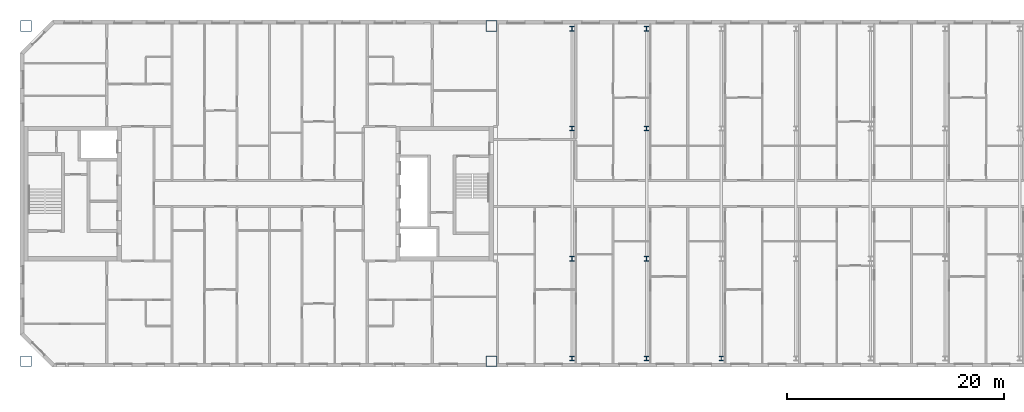
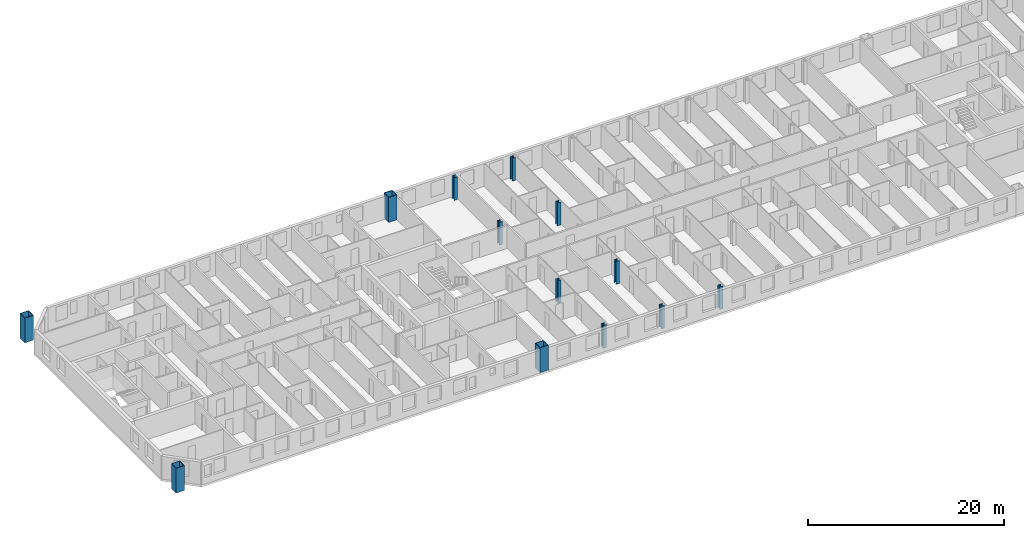
# One storey, part 1 of 19: 13 columns.
"""IFC4 building model written with IfcOpenShell, lengths in metres."""

from ifc_helpers import new_model, si_unit, direction, frame, origin, origin_2d, place, context, subcontext, project, spatial, hollow_rectangle, i_section, extrude, material, material_profile, profile_set, type_object, element, save


model = new_model("IFC4")

# Units and contexts
model_context = context("Model", 3, precision=1e-05, world=origin(), true_north=direction((0.0, 1.0)))
body_context = subcontext(model_context, "Body", "Model", "MODEL_VIEW")
ifc_project = project(units=[si_unit("LENGTHUNIT", "METRE"), si_unit("AREAUNIT", "SQUARE_METRE"), si_unit("VOLUMEUNIT", "CUBIC_METRE"), si_unit("PLANEANGLEUNIT", "RADIAN"), si_unit("MASSUNIT", "GRAM", prefix="KILO")], contexts=[model_context])

# Site, building, storey
site_placement = place(None, origin())
site = spatial("IfcSite", under=ifc_project, at=site_placement, CompositionType="ELEMENT")
building_placement = place(site_placement, origin())
building = spatial("IfcBuilding", under=site, at=building_placement, Name="Tuart Gate Housing", CompositionType="ELEMENT")
storey_placement = place(building_placement, frame((0.0, 0.0, 212.10009765625)))
storey = spatial("IfcBuildingStorey", under=building, at=storey_placement, Name="L60", CompositionType="ELEMENT", Elevation=212.10009765625)

# Columns
ifc_material_1 = material(Name="Steel Grade 350", Category="steel")
ifc_material_profile_1 = material_profile(ifc_material_1, i_section(OverallWidth=0.39990234375, OverallDepth=0.429931640625, WebThickness=0.0400390625, FlangeThickness=0.0400390625, at=origin_2d()), Name="400WC361")
ifc_profile_set_1 = profile_set([ifc_material_profile_1], Name="Steel Grade 350")
column_type_1 = type_object("IfcColumnType", Name="Link column 400 WC361", PredefinedType="COLUMN", material=ifc_profile_set_1)
for number, where, z_axis, x_axis, name in (
    (1, (82.875, 54.800048828125, 0.0), (0.0, 0.0, 1.0), (1.0, 0.0, 0.0), "Link column line 1 point 1 L60"),
    (2, (89.75, 54.800048828125, 0.0), (0.0, 0.0, 1.0), (1.0, 0.0, 0.0), "Link column line 1 point 2 L60"),
    (3, (96.625, 54.800048828125, 0.0), (0.0, 0.0, 1.0), (1.0, 0.0, 0.0), "Link column line 1 point 3 L60"),
    (4, (82.875, 64.0, 0.0), (0.0, 0.0, 1.0), (1.0, 0.0, 0.0), "Link column line 2 point 1 L60"),
    (5, (89.75, 64.0, 0.0), (0.0, 0.0, 1.0), (1.0, 0.0, 0.0), "Link column line 2 point 2 L60"),
    (6, (82.875, 76.0, 0.0), (0.0, 0.0, 1.0), (1.0, 0.0, 0.0), "Link column line 3 point 1 L60"),
    (7, (89.75, 76.0, 0.0), (0.0, 0.0, 1.0), (1.0, 0.0, 0.0), "Link column line 3 point 2 L60"),
    (8, (82.875, 85.199951171875, 0.0), (0.0, 0.0, 1.0), (1.0, 0.0, 0.0), "Link column line 4 point 1 L60"),
    (9, (89.75, 85.199951171875, 0.0), (0.0, 0.0, 1.0), (1.0, 0.0, 0.0), "Link column line 4 point 2 L60"),
):
    element("IfcColumn", number, at=place(storey_placement, frame(where, z_axis=z_axis, x_axis=x_axis)), inside=storey, type_object=column_type_1, Name=name, PredefinedType="COLUMN", context=body_context, shape_type="SweptSolid", body=[
        extrude(i_section(OverallWidth=0.39990234375, OverallDepth=0.429931640625, WebThickness=0.0400390625, FlangeThickness=0.0400390625, at=origin_2d()), origin(), (0.0, 0.0, 1.0), 2.849853515625),
    ])
ifc_material_2 = material(Name="Steel Grade 350", Category="steel")
ifc_material_profile_2 = material_profile(ifc_material_2, hollow_rectangle(XDim=1.0, YDim=1.0, WallThickness=0.054931640625, at=origin_2d()), Name="BOX 1000x1000x55")
ifc_profile_set_2 = profile_set([ifc_material_profile_2], Name="Steel Grade 350")
column_type_2 = type_object("IfcColumnType", Name="Mega column BOX 1000x1000x55", PredefinedType="COLUMN", material=ifc_profile_set_2)
for number, where, z_axis, x_axis, name in (
    (10, (32.550048828125, 54.550048828125, 0.0), (0.0, 0.0, 1.0), (1.0, 0.0, 0.0), "Mega column A south-west L60"),
    (11, (75.449951171875, 54.550048828125, 0.0), (0.0, 0.0, 1.0), (1.0, 0.0, 0.0), "Mega column A south-east L60"),
    (12, (75.449951171875, 85.449951171875, 0.0), (0.0, 0.0, 1.0), (1.0, 0.0, 0.0), "Mega column A north-east L60"),
    (13, (32.550048828125, 85.449951171875, 0.0), (0.0, 0.0, 1.0), (1.0, 0.0, 0.0), "Mega column A north-west L60"),
):
    element("IfcColumn", number, at=place(storey_placement, frame(where, z_axis=z_axis, x_axis=x_axis)), inside=storey, type_object=column_type_2, Name=name, PredefinedType="COLUMN", context=body_context, shape_type="SweptSolid", body=[
        extrude(hollow_rectangle(XDim=1.0, YDim=1.0, WallThickness=0.054931640625, at=origin_2d()), origin(), (0.0, 0.0, 1.0), 3.099853515625),
    ])

save(model, "model.ifc")
